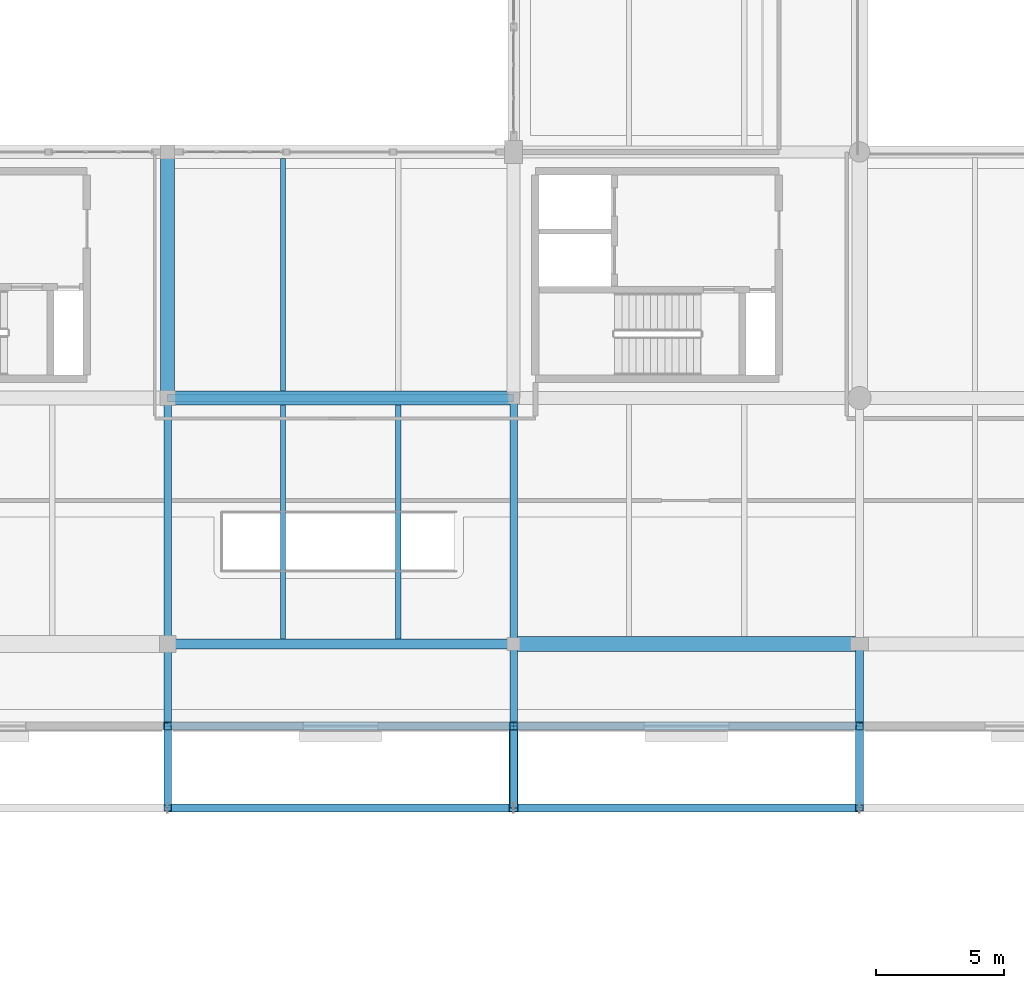
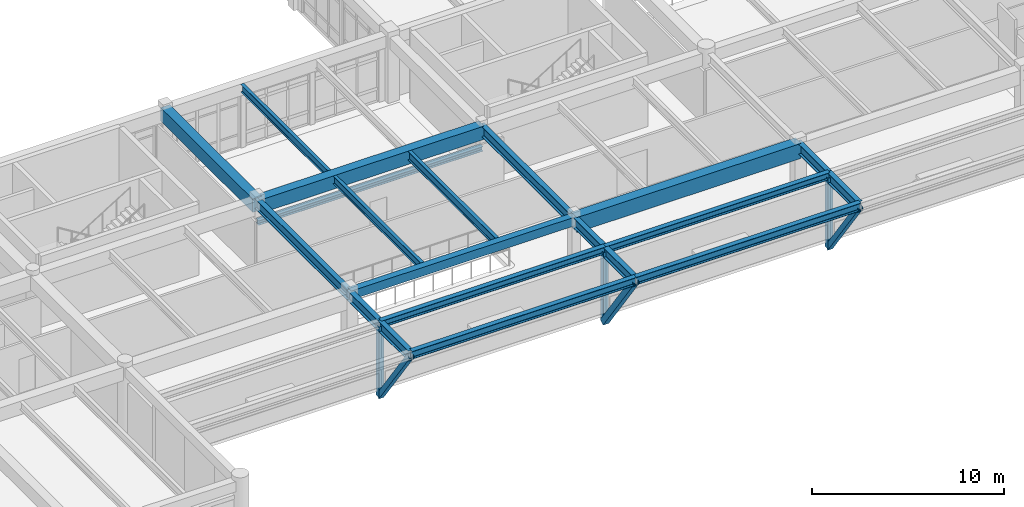
# One storey, part 7 of 109: 20 beams, 6 members.
"""IFC4 building model written with IfcOpenShell, lengths in metres."""

from ifc_helpers import new_model, si_unit, direction, frame, origin, origin_2d, place, context, subcontext, project, spatial, rectangle, hollow_rectangle, i_section, extrude, material, material_profile, profile_set, type_object, element, save


model = new_model("IFC4")

# Units and contexts
model_context = context("Model", 3, precision=1e-05, world=origin(), true_north=direction((0.0, 1.0)))
body_context = subcontext(model_context, "Body", "Model", "MODEL_VIEW")
ifc_project = project(units=[si_unit("LENGTHUNIT", "METRE"), si_unit("AREAUNIT", "SQUARE_METRE"), si_unit("VOLUMEUNIT", "CUBIC_METRE"), si_unit("PLANEANGLEUNIT", "RADIAN"), si_unit("MASSUNIT", "GRAM", prefix="KILO")], contexts=[model_context])

# Site, building, storey
site_placement = place(None, origin())
site = spatial("IfcSite", under=ifc_project, at=site_placement, CompositionType="ELEMENT")
building_placement = place(site_placement, origin())
building = spatial("IfcBuilding", under=site, at=building_placement, Name="Fikremerkos Civic Library", CompositionType="ELEMENT")
storey_placement = place(building_placement, frame((0.0, 0.0, 5.39990234375)))
storey = spatial("IfcBuildingStorey", under=building, at=storey_placement, Name="L01", CompositionType="ELEMENT", Elevation=5.39990234375)

# Beams
ifc_material_1 = material(Name="Steel S355", Category="steel")
ifc_material_profile_1 = material_profile(ifc_material_1, i_section(OverallWidth=0.2099609375, OverallDepth=0.550048828125, WebThickness=0.010986328125, FlangeThickness=0.01708984375, FilletRadius=0.02392578125, at=origin_2d()), Name="IPE 550")
ifc_profile_set_1 = profile_set([ifc_material_profile_1], Name="Steel S355")
beam_type_1 = type_object("IfcBeamType", Name="Floor joist JS-05 IPE 550", PredefinedType="JOIST", material=ifc_profile_set_1)
beam_1_placement = place(storey_placement, frame((41.699951171875, 12.199951171875, 3.905029296875), z_axis=(0.0, 1.0, 0.0), x_axis=(-1.0, 0.0, 0.0)))
element("IfcBeam", 1, at=beam_1_placement, inside=storey, type_object=beam_type_1, Name="Floor joist JS-05 L01 #415", PredefinedType="JOIST", context=body_context, shape_type="SweptSolid", body=[
    extrude(i_section(OverallWidth=0.2099609375, OverallDepth=0.550048828125, WebThickness=0.010986328125, FlangeThickness=0.01708984375, FilletRadius=0.02392578125, at=origin_2d()), origin(), (0.0, 0.0, 1.0), 9.125),
])
ifc_material_profile_2 = material_profile(ifc_material_1, i_section(OverallWidth=0.199951171875, OverallDepth=0.5, WebThickness=0.01025390625, FlangeThickness=0.01611328125, FilletRadius=0.02099609375, at=origin_2d()), Name="IPE 500")
ifc_profile_set_2 = profile_set([ifc_material_profile_2], Name="Steel S355")
beam_type_2 = type_object("IfcBeamType", Name="Floor joist JS-06 IPE 500", PredefinedType="JOIST", material=ifc_profile_set_2)
beam_2_placement = place(storey_placement, frame((37.199951171875, 12.199951171875, 3.93017578125), z_axis=(0.0, 1.0, 0.0), x_axis=(-1.0, 0.0, 0.0)))
element("IfcBeam", 2, at=beam_2_placement, inside=storey, type_object=beam_type_2, Name="Floor joist JS-06 L01 #414", PredefinedType="JOIST", context=body_context, shape_type="SweptSolid", body=[
    extrude(i_section(OverallWidth=0.199951171875, OverallDepth=0.5, WebThickness=0.01025390625, FlangeThickness=0.01611328125, FilletRadius=0.02099609375, at=origin_2d()), origin(), (0.0, 0.0, 1.0), 9.125),
])
beam_3_placement = place(storey_placement, frame((37.199951171875, 21.875, 3.93017578125), z_axis=(0.0, 1.0, 0.0), x_axis=(-1.0, 0.0, 0.0)))
element("IfcBeam", 3, at=beam_3_placement, inside=storey, type_object=beam_type_2, Name="Floor joist JS-06 L01 #416", PredefinedType="JOIST", context=body_context, shape_type="SweptSolid", body=[
    extrude(i_section(OverallWidth=0.199951171875, OverallDepth=0.5, WebThickness=0.01025390625, FlangeThickness=0.01611328125, FilletRadius=0.02099609375, at=origin_2d()), origin(), (0.0, 0.0, 1.0), 9.074951171875),
])

# Members
ifc_material_profile_3 = material_profile(ifc_material_1, hollow_rectangle(XDim=0.300048828125, YDim=0.300048828125, WallThickness=0.012451171875, at=origin_2d()), Name="SHS 300x300x12.5")
ifc_profile_set_3 = profile_set([ifc_material_profile_3], Name="Steel S355")
member_type_1 = type_object("IfcMemberType", Name="Frame post PST-01 SHS 300x300x12.5", PredefinedType="POST", material=ifc_profile_set_3)
for number, where, z_axis, x_axis, name in (
    (4, (32.699951171875, 8.800048828125, -0.64501953125), (0.0, 0.0, 1.0), (1.0, 0.0, 0.0), "Cantilever frame post PST-01 L01 X=32.7 Y=8.8"),
    (5, (46.199951171875, 8.800048828125, -0.64501953125), (0.0, 0.0, 1.0), (1.0, 0.0, 0.0), "Cantilever frame post PST-01 L01 X=46.2 Y=8.8"),
    (6, (59.699951171875, 8.800048828125, -0.64501953125), (0.0, 0.0, 1.0), (1.0, 0.0, 0.0), "Cantilever frame post PST-01 L01 X=59.7 Y=8.8"),
):
    element("IfcMember", number, at=place(storey_placement, frame(where, z_axis=z_axis, x_axis=x_axis)), inside=storey, type_object=member_type_1, Name=name, PredefinedType="POST", context=body_context, shape_type="SweptSolid", body=[
        extrude(hollow_rectangle(XDim=0.300048828125, YDim=0.300048828125, WallThickness=0.012451171875, at=origin_2d()), origin(), (0.0, 0.0, 1.0), 4.5),
    ])

# Beams
ifc_material_profile_4 = material_profile(ifc_material_1, i_section(OverallWidth=0.300048828125, OverallDepth=0.2900390625, WebThickness=0.008544921875, FlangeThickness=0.013916015625, FilletRadius=0.027099609375, at=origin_2d()), Name="HEA 300")
ifc_profile_set_4 = profile_set([ifc_material_profile_4], Name="Steel S355")
beam_type_3 = type_object("IfcBeamType", Name="Opening lintel LNT-03 HEA 300", PredefinedType="LINTEL", material=ifc_profile_set_4)
beam_4_placement = place(storey_placement, frame((32.699951171875, 21.60009765625, 2.64501953125), z_axis=(1.0, 0.0, 0.0), x_axis=(0.0, 1.0, 0.0)))
element("IfcBeam", 7, at=beam_4_placement, inside=storey, type_object=beam_type_3, Name="Interior portal lintel LNT-03 L01 #7", PredefinedType="LINTEL", context=body_context, shape_type="SweptSolid", body=[
    extrude(i_section(OverallWidth=0.300048828125, OverallDepth=0.2900390625, WebThickness=0.008544921875, FlangeThickness=0.013916015625, FilletRadius=0.027099609375, at=origin_2d()), origin(), (0.0, 0.0, 1.0), 13.5),
])
ifc_material_2 = material(Name="Concrete C40/50", Category="concrete")
ifc_material_profile_5 = material_profile(ifc_material_2, rectangle(XDim=0.60009765625, YDim=0.949951171875, at=origin_2d()), Name="RC 600x950")
ifc_profile_set_5 = profile_set([ifc_material_profile_5], Name="Concrete C40/50")
beam_type_4 = type_object("IfcBeamType", Name="Primary girder BM-01 RC 600x950", PredefinedType="BEAM", material=ifc_profile_set_5)
beam_5_placement = place(storey_placement, frame((46.199951171875, 12.0, 3.705078125), z_axis=(1.0, 0.0, 0.0), x_axis=(0.0, 1.0, 0.0)))
element("IfcBeam", 8, at=beam_5_placement, inside=storey, type_object=beam_type_4, Name="Primary girder BM-01 L01 grid E", PredefinedType="BEAM", context=body_context, shape_type="SweptSolid", body=[
    extrude(rectangle(XDim=0.60009765625, YDim=0.949951171875, at=origin_2d()), origin(), (0.0, 0.0, 1.0), 13.5),
])
ifc_material_profile_6 = material_profile(ifc_material_2, rectangle(XDim=0.550048828125, YDim=0.85009765625, at=origin_2d()), Name="RC 550x850")
ifc_profile_set_6 = profile_set([ifc_material_profile_6], Name="Concrete C40/50")
beam_type_5 = type_object("IfcBeamType", Name="Primary girder BM-03 RC 550x850", PredefinedType="BEAM", material=ifc_profile_set_6)
beam_6_placement = place(storey_placement, frame((32.699951171875, 21.60009765625, 3.755126953125), z_axis=(1.0, 0.0, 0.0), x_axis=(0.0, 1.0, 0.0)))
element("IfcBeam", 9, at=beam_6_placement, inside=storey, type_object=beam_type_5, Name="Primary girder BM-03 L01 grid F", PredefinedType="BEAM", context=body_context, shape_type="SweptSolid", body=[
    extrude(rectangle(XDim=0.550048828125, YDim=0.85009765625, at=origin_2d()), origin(), (0.0, 0.0, 1.0), 13.5),
])
beam_7_placement = place(storey_placement, frame((32.699951171875, 21.60009765625, 3.755126953125), z_axis=(0.0, 1.0, 0.0), x_axis=(-1.0, 0.0, 0.0)))
element("IfcBeam", 10, at=beam_7_placement, inside=storey, type_object=beam_type_5, Name="Primary girder BM-03 L01 grid 4", PredefinedType="BEAM", context=body_context, shape_type="SweptSolid", body=[
    extrude(rectangle(XDim=0.550048828125, YDim=0.85009765625, at=origin_2d()), origin(), (0.0, 0.0, 1.0), 9.599853515625),
])
ifc_material_profile_7 = material_profile(ifc_material_1, i_section(OverallWidth=0.300048828125, OverallDepth=0.64990234375, WebThickness=0.01611328125, FlangeThickness=0.031005859375, FilletRadius=0.027099609375, at=origin_2d()), Name="HEB 650")
ifc_profile_set_7 = profile_set([ifc_material_profile_7], Name="Steel S355")
beam_type_6 = type_object("IfcBeamType", Name="Primary girder BM-12 HEB 650", PredefinedType="BEAM", material=ifc_profile_set_7)
for number, where, z_axis, x_axis, name in (
    (11, (32.699951171875, 12.0, 3.85498046875), (0.0, 1.0, 0.0), (-1.0, 0.0, 0.0), "Primary girder BM-12 L01 grid 4"),
    (12, (46.199951171875, 12.0, 3.85498046875), (0.0, 1.0, 0.0), (-1.0, 0.0, 0.0), "Primary girder BM-12 L01 grid 5"),
):
    element("IfcBeam", number, at=place(storey_placement, frame(where, z_axis=z_axis, x_axis=x_axis)), inside=storey, type_object=beam_type_6, Name=name, PredefinedType="BEAM", context=body_context, shape_type="SweptSolid", body=[
        extrude(i_section(OverallWidth=0.300048828125, OverallDepth=0.64990234375, WebThickness=0.01611328125, FlangeThickness=0.031005859375, FilletRadius=0.027099609375, at=origin_2d()), origin(), (0.0, 0.0, 1.0), 9.60009765625),
    ])
for number, where, z_axis, x_axis, name in (
    (13, (32.699951171875, 12.0, 3.85498046875), (0.0, -1.0, 0.0), (1.0, 0.0, 0.0), "Cantilever girder BM-12 L01 X=32.7 #1"),
    (14, (32.699951171875, 8.800048828125, 3.85498046875), (0.0, -1.0, 0.0), (1.0, 0.0, 0.0), "Cantilever girder BM-12 L01 X=32.7 #2"),
    (15, (46.199951171875, 12.0, 3.85498046875), (0.0, -1.0, 0.0), (1.0, 0.0, 0.0), "Cantilever girder BM-12 L01 X=46.2 #1"),
    (16, (46.199951171875, 8.800048828125, 3.85498046875), (0.0, -1.0, 0.0), (1.0, 0.0, 0.0), "Cantilever girder BM-12 L01 X=46.2 #2"),
    (17, (59.699951171875, 12.0, 3.85498046875), (0.0, -1.0, 0.0), (1.0, 0.0, 0.0), "Cantilever girder BM-12 L01 X=59.7 #1"),
    (18, (59.699951171875, 8.800048828125, 3.85498046875), (0.0, -1.0, 0.0), (1.0, 0.0, 0.0), "Cantilever girder BM-12 L01 X=59.7 #2"),
):
    element("IfcBeam", number, at=place(storey_placement, frame(where, z_axis=z_axis, x_axis=x_axis)), inside=storey, type_object=beam_type_6, Name=name, PredefinedType="BEAM", context=body_context, shape_type="SweptSolid", body=[
        extrude(i_section(OverallWidth=0.300048828125, OverallDepth=0.64990234375, WebThickness=0.01611328125, FlangeThickness=0.031005859375, FilletRadius=0.027099609375, at=origin_2d()), origin(), (0.0, 0.0, 1.0), 3.199951171875),
    ])
ifc_material_profile_8 = material_profile(ifc_material_2, rectangle(XDim=0.39990234375, YDim=0.550048828125, at=origin_2d()), Name="RC 400x550")
ifc_profile_set_8 = profile_set([ifc_material_profile_8], Name="Concrete C40/50")
beam_type_7 = type_object("IfcBeamType", Name="Primary girder BM-26 RC 400x550", PredefinedType="BEAM", material=ifc_profile_set_8)
beam_8_placement = place(storey_placement, frame((32.699951171875, 12.0, 3.905029296875), z_axis=(1.0, 0.0, 0.0), x_axis=(0.0, 1.0, 0.0)))
element("IfcBeam", 19, at=beam_8_placement, inside=storey, type_object=beam_type_7, Name="Primary girder BM-26 L01 grid E", PredefinedType="BEAM", context=body_context, shape_type="SweptSolid", body=[
    extrude(rectangle(XDim=0.39990234375, YDim=0.550048828125, at=origin_2d()), origin(), (0.0, 0.0, 1.0), 13.5),
])

# Members
ifc_material_profile_9 = material_profile(ifc_material_1, hollow_rectangle(XDim=0.35009765625, YDim=0.35009765625, WallThickness=0.01611328125, at=origin_2d()), Name="SHS 350x350x16")
ifc_profile_set_9 = profile_set([ifc_material_profile_9], Name="Steel S355")
member_type_2 = type_object("IfcMemberType", Name="Raking strut STR-01 SHS 350x350x16", PredefinedType="STRUT", material=ifc_profile_set_9)
member_placement = place(storey_placement, frame((46.199951171875, 8.800048828125, -0.64501953125), z_axis=(0.0, -0.579517913329, 0.814959500914), x_axis=(1.0, 0.0, 0.0)))
element("IfcMember", 20, at=member_placement, inside=storey, type_object=member_type_2, Name="Raking cantilever strut STR-01 L01 X=46.2", PredefinedType="STRUT", context=body_context, shape_type="SweptSolid", body=[
    extrude(hollow_rectangle(XDim=0.35009765625, YDim=0.35009765625, WallThickness=0.01611328125, at=origin_2d()), origin(), (0.0, 0.0, 1.0), 5.521728515625),
])
ifc_material_profile_10 = material_profile(ifc_material_1, hollow_rectangle(XDim=0.300048828125, YDim=0.300048828125, WallThickness=0.01611328125, at=origin_2d()), Name="SHS 300x300x16")
ifc_profile_set_10 = profile_set([ifc_material_profile_10], Name="Steel S355")
member_type_3 = type_object("IfcMemberType", Name="Raking strut STR-02 SHS 300x300x16", PredefinedType="STRUT", material=ifc_profile_set_10)
for number, where, z_axis, x_axis, name in (
    (21, (32.699951171875, 8.800048828125, -0.64501953125), (0.0, -0.579517913329, 0.814959500914), (1.0, 0.0, 0.0), "Raking cantilever strut STR-02 L01 X=32.7"),
    (22, (59.699951171875, 8.800048828125, -0.64501953125), (0.0, -0.579517913329, 0.814959500914), (1.0, 0.0, 0.0), "Raking cantilever strut STR-02 L01 X=59.7"),
):
    element("IfcMember", number, at=place(storey_placement, frame(where, z_axis=z_axis, x_axis=x_axis)), inside=storey, type_object=member_type_3, Name=name, PredefinedType="STRUT", context=body_context, shape_type="SweptSolid", body=[
        extrude(hollow_rectangle(XDim=0.300048828125, YDim=0.300048828125, WallThickness=0.01611328125, at=origin_2d()), origin(), (0.0, 0.0, 1.0), 5.521728515625),
    ])

# Beams
ifc_material_profile_11 = material_profile(ifc_material_1, i_section(OverallWidth=0.300048828125, OverallDepth=0.489990234375, WebThickness=0.011962890625, FlangeThickness=0.02294921875, FilletRadius=0.027099609375, at=origin_2d()), Name="HEA 500")
ifc_profile_set_11 = profile_set([ifc_material_profile_11], Name="Steel S355")
beam_type_8 = type_object("IfcBeamType", Name="Spandrel edge beam SPB-04 HEA 500", PredefinedType="SPANDREL", material=ifc_profile_set_11)
for number, where, z_axis, x_axis, name in (
    (23, (32.699951171875, 5.60009765625, 3.93505859375), (1.0, 0.0, 0.0), (0.0, 1.0, 0.0), "Spandrel edge beam SPB-04 L01 Y=5.6 bay 2"),
    (24, (46.199951171875, 5.60009765625, 3.93505859375), (1.0, 0.0, 0.0), (0.0, 1.0, 0.0), "Spandrel edge beam SPB-04 L01 Y=5.6 bay 3"),
):
    element("IfcBeam", number, at=place(storey_placement, frame(where, z_axis=z_axis, x_axis=x_axis)), inside=storey, type_object=beam_type_8, Name=name, PredefinedType="SPANDREL", context=body_context, shape_type="SweptSolid", body=[
        extrude(i_section(OverallWidth=0.300048828125, OverallDepth=0.489990234375, WebThickness=0.011962890625, FlangeThickness=0.02294921875, FilletRadius=0.027099609375, at=origin_2d()), origin(), (0.0, 0.0, 1.0), 13.5),
    ])
ifc_material_profile_12 = material_profile(ifc_material_1, i_section(OverallWidth=0.300048828125, OverallDepth=0.43994140625, WebThickness=0.011474609375, FlangeThickness=0.02099609375, FilletRadius=0.027099609375, at=origin_2d()), Name="HEA 450")
ifc_profile_set_12 = profile_set([ifc_material_profile_12], Name="Steel S355")
beam_type_9 = type_object("IfcBeamType", Name="Spandrel edge beam SPB-05 HEA 450", PredefinedType="SPANDREL", material=ifc_profile_set_12)
for number, where, z_axis, x_axis, name in (
    (25, (32.699951171875, 8.800048828125, 3.960205078125), (1.0, 0.0, 0.0), (0.0, 1.0, 0.0), "Spandrel edge beam SPB-05 L01 Y=8.8 bay 2"),
    (26, (46.199951171875, 8.800048828125, 3.960205078125), (1.0, 0.0, 0.0), (0.0, 1.0, 0.0), "Spandrel edge beam SPB-05 L01 Y=8.8 bay 3"),
):
    element("IfcBeam", number, at=place(storey_placement, frame(where, z_axis=z_axis, x_axis=x_axis)), inside=storey, type_object=beam_type_9, Name=name, PredefinedType="SPANDREL", context=body_context, shape_type="SweptSolid", body=[
        extrude(i_section(OverallWidth=0.300048828125, OverallDepth=0.43994140625, WebThickness=0.011474609375, FlangeThickness=0.02099609375, FilletRadius=0.027099609375, at=origin_2d()), origin(), (0.0, 0.0, 1.0), 13.5),
    ])

save(model, "model.ifc")
